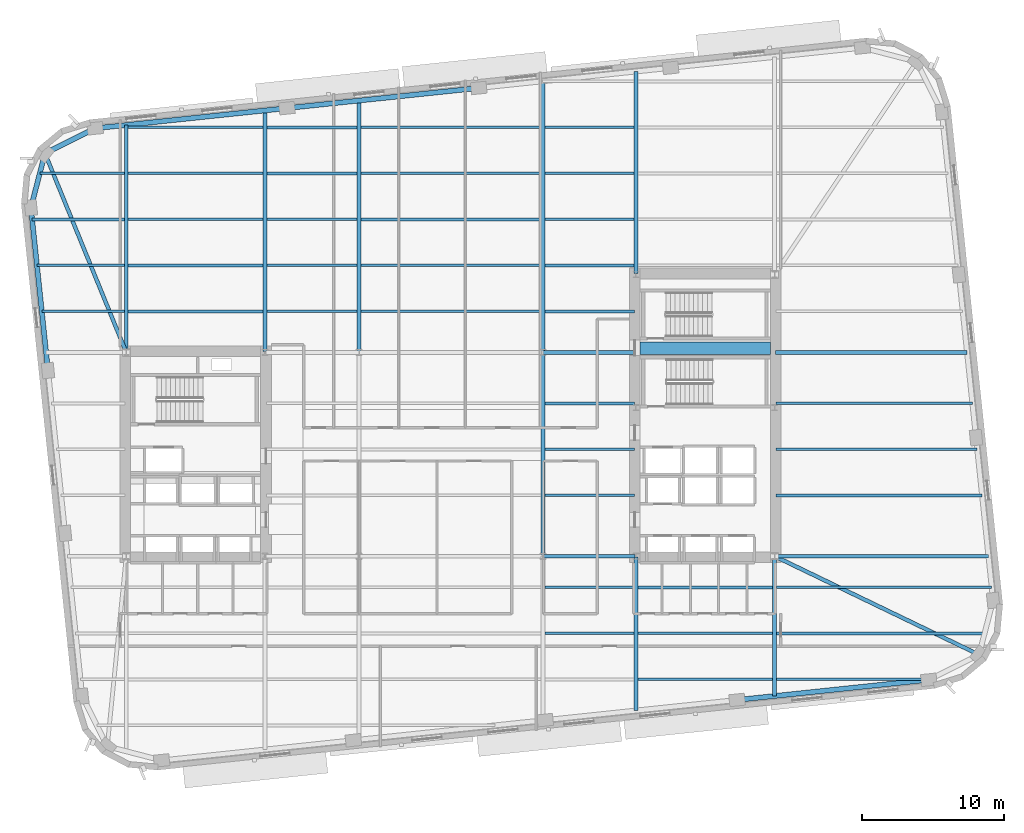
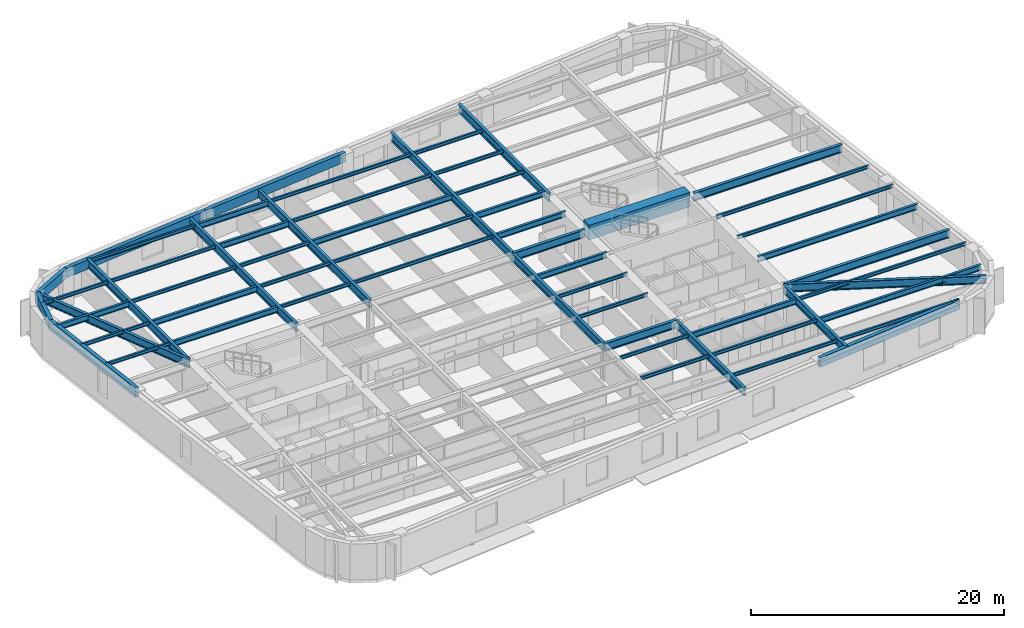
# One storey, part 2 of 15: 59 beams.
"""IFC4 building model written with IfcOpenShell, lengths in metres."""

from ifc_helpers import new_model, si_unit, direction, frame, origin, origin_2d, place, context, subcontext, project, spatial, rectangle, hollow_rectangle, i_section, extrude, material, material_profile, profile_set, type_object, element, save


model = new_model("IFC4")

# Units and contexts
model_context = context("Model", 3, precision=1e-05, world=origin(), true_north=direction((0.0, 1.0)))
body_context = subcontext(model_context, "Body", "Model", "MODEL_VIEW")
ifc_project = project(units=[si_unit("LENGTHUNIT", "METRE"), si_unit("AREAUNIT", "SQUARE_METRE"), si_unit("VOLUMEUNIT", "CUBIC_METRE"), si_unit("PLANEANGLEUNIT", "RADIAN"), si_unit("MASSUNIT", "GRAM", prefix="KILO")], contexts=[model_context])

# Site, building, storey
site_placement = place(None, origin())
site = spatial("IfcSite", under=ifc_project, at=site_placement, CompositionType="ELEMENT")
building_placement = place(site_placement, origin())
building = spatial("IfcBuilding", under=site, at=building_placement, Name="Kolvaren Arena Tower", CompositionType="ELEMENT")
storey_placement = place(building_placement, frame((0.0, 0.0, 118.449951171875)))
storey = spatial("IfcBuildingStorey", under=building, at=storey_placement, Name="L27", CompositionType="ELEMENT", Elevation=118.449951171875)

# Beams
ifc_material_1 = material(Name="Steel CSA G40.21 350W", Category="steel")
ifc_material_profile_1 = material_profile(ifc_material_1, i_section(OverallWidth=0.2119140625, OverallDepth=0.54296875, WebThickness=0.01318359375, FlangeThickness=0.0244140625, FilletRadius=0.013916015625, at=origin_2d()), Name="W530x150")
ifc_profile_set_1 = profile_set([ifc_material_profile_1], Name="Steel CSA G40.21 350W")
beam_type_1 = type_object("IfcBeamType", Name="BEAM-F1", PredefinedType="BEAM", material=ifc_profile_set_1)
beam_1_placement = place(storey_placement, frame((60.485107421875, 14.0, 3.20849609375), z_axis=(1.0, 0.0, 0.0), x_axis=(0.0, 1.0, 0.0)))
element("IfcBeam", 1, at=beam_1_placement, inside=storey, type_object=beam_type_1, Name="Composite Floor Beam (L27)", PredefinedType="BEAM", context=body_context, shape_type="SweptSolid", body=[
    extrude(i_section(OverallWidth=0.2119140625, OverallDepth=0.54296875, WebThickness=0.01318359375, FlangeThickness=0.0244140625, FilletRadius=0.013916015625, at=origin_2d()), origin(), (0.0, 0.0, 1.0), 14.69677734375),
])
beam_2_placement = place(storey_placement, frame((50.68505859375, 17.25, 3.20849609375), z_axis=(1.0, 0.0, 0.0), x_axis=(0.0, 1.0, 0.0)))
element("IfcBeam", 2, at=beam_2_placement, inside=storey, type_object=beam_type_1, Name="Composite Floor Beam (L27)", PredefinedType="BEAM", context=body_context, shape_type="SweptSolid", body=[
    extrude(i_section(OverallWidth=0.2119140625, OverallDepth=0.54296875, WebThickness=0.01318359375, FlangeThickness=0.0244140625, FilletRadius=0.013916015625, at=origin_2d()), origin(), (0.0, 0.0, 1.0), 9.530029296875),
])
beam_3_placement = place(storey_placement, frame((60.445068359375, 23.75, 3.20849609375), z_axis=(1.0, 0.0, 0.0), x_axis=(0.0, 1.0, 0.0)))
element("IfcBeam", 3, at=beam_3_placement, inside=storey, type_object=beam_type_1, Name="Composite Floor Beam (L27)", PredefinedType="BEAM", context=body_context, shape_type="SweptSolid", body=[
    extrude(i_section(OverallWidth=0.2119140625, OverallDepth=0.54296875, WebThickness=0.01318359375, FlangeThickness=0.0244140625, FilletRadius=0.013916015625, at=origin_2d()), origin(), (0.0, 0.0, 1.0), 14.56103515625),
])
beam_4_placement = place(storey_placement, frame((44.135009765625, 30.25, 3.20849609375), z_axis=(1.0, 0.0, 0.0), x_axis=(0.0, 1.0, 0.0)))
element("IfcBeam", 4, at=beam_4_placement, inside=storey, type_object=beam_type_1, Name="Composite Floor Beam (L27)", PredefinedType="BEAM", context=body_context, shape_type="SweptSolid", body=[
    extrude(i_section(OverallWidth=0.2119140625, OverallDepth=0.54296875, WebThickness=0.01318359375, FlangeThickness=0.0244140625, FilletRadius=0.013916015625, at=origin_2d()), origin(), (0.0, 0.0, 1.0), 6.320068359375),
])
beam_5_placement = place(storey_placement, frame((14.68505859375, 36.75, 3.20849609375), z_axis=(1.0, 0.0, 0.0), x_axis=(0.0, 1.0, 0.0)))
element("IfcBeam", 5, at=beam_5_placement, inside=storey, type_object=beam_type_1, Name="Composite Floor Beam (L27)", PredefinedType="BEAM", context=body_context, shape_type="SweptSolid", body=[
    extrude(i_section(OverallWidth=0.2119140625, OverallDepth=0.54296875, WebThickness=0.01318359375, FlangeThickness=0.0244140625, FilletRadius=0.013916015625, at=origin_2d()), origin(), (0.0, 0.0, 1.0), 9.530029296875),
])
beam_6_placement = place(storey_placement, frame((44.135009765625, 36.75, 3.20849609375), z_axis=(1.0, 0.0, 0.0), x_axis=(0.0, 1.0, 0.0)))
element("IfcBeam", 6, at=beam_6_placement, inside=storey, type_object=beam_type_1, Name="Composite Floor Beam (L27)", PredefinedType="BEAM", context=body_context, shape_type="SweptSolid", body=[
    extrude(i_section(OverallWidth=0.2119140625, OverallDepth=0.54296875, WebThickness=0.01318359375, FlangeThickness=0.0244140625, FilletRadius=0.013916015625, at=origin_2d()), origin(), (0.0, 0.0, 1.0), 6.320068359375),
])
beam_7_placement = place(storey_placement, frame((14.68505859375, 40.0, 3.20849609375), z_axis=(1.0, 0.0, 0.0), x_axis=(0.0, 1.0, 0.0)))
element("IfcBeam", 7, at=beam_7_placement, inside=storey, type_object=beam_type_1, Name="Composite Floor Beam (L27)", PredefinedType="BEAM", context=body_context, shape_type="SweptSolid", body=[
    extrude(i_section(OverallWidth=0.2119140625, OverallDepth=0.54296875, WebThickness=0.01318359375, FlangeThickness=0.0244140625, FilletRadius=0.013916015625, at=origin_2d()), origin(), (0.0, 0.0, 1.0), 9.530029296875),
])
beam_8_placement = place(storey_placement, frame((44.135009765625, 40.0, 3.20849609375), z_axis=(1.0, 0.0, 0.0), x_axis=(0.0, 1.0, 0.0)))
element("IfcBeam", 8, at=beam_8_placement, inside=storey, type_object=beam_type_1, Name="Composite Floor Beam (L27)", PredefinedType="BEAM", context=body_context, shape_type="SweptSolid", body=[
    extrude(i_section(OverallWidth=0.2119140625, OverallDepth=0.54296875, WebThickness=0.01318359375, FlangeThickness=0.0244140625, FilletRadius=0.013916015625, at=origin_2d()), origin(), (0.0, 0.0, 1.0), 6.280029296875),
])
beam_9_placement = place(storey_placement, frame((7.900146484375, 43.25, 3.20849609375), z_axis=(1.0, 0.0, 0.0), x_axis=(0.0, 1.0, 0.0)))
element("IfcBeam", 9, at=beam_9_placement, inside=storey, type_object=beam_type_1, Name="Composite Floor Beam (L27)", PredefinedType="BEAM", context=body_context, shape_type="SweptSolid", body=[
    extrude(i_section(OverallWidth=0.2119140625, OverallDepth=0.54296875, WebThickness=0.01318359375, FlangeThickness=0.0244140625, FilletRadius=0.013916015625, at=origin_2d()), origin(), (0.0, 0.0, 1.0), 6.514892578125),
])
beam_10_placement = place(storey_placement, frame((31.135009765625, 43.25, 3.20849609375), z_axis=(1.0, 0.0, 0.0), x_axis=(0.0, 1.0, 0.0)))
element("IfcBeam", 10, at=beam_10_placement, inside=storey, type_object=beam_type_1, Name="Composite Floor Beam (L27)", PredefinedType="BEAM", context=body_context, shape_type="SweptSolid", body=[
    extrude(i_section(OverallWidth=0.2119140625, OverallDepth=0.54296875, WebThickness=0.01318359375, FlangeThickness=0.0244140625, FilletRadius=0.013916015625, at=origin_2d()), origin(), (0.0, 0.0, 1.0), 12.72998046875),
])
for number, where, z_axis, x_axis, name in (
    (11, (24.485107421875, 46.5, 3.20849609375), (1.0, 0.0, 0.0), (0.0, 1.0, 0.0), "Composite Floor Beam (L27)"),
    (12, (24.485107421875, 49.75, 3.20849609375), (1.0, 0.0, 0.0), (0.0, 1.0, 0.0), "Composite Floor Beam (L27)"),
):
    element("IfcBeam", number, at=place(storey_placement, frame(where, z_axis=z_axis, x_axis=x_axis)), inside=storey, type_object=beam_type_1, Name=name, PredefinedType="BEAM", context=body_context, shape_type="SweptSolid", body=[
        extrude(i_section(OverallWidth=0.2119140625, OverallDepth=0.54296875, WebThickness=0.01318359375, FlangeThickness=0.0244140625, FilletRadius=0.013916015625, at=origin_2d()), origin(), (0.0, 0.0, 1.0), 6.3798828125),
    ])
ifc_material_2 = material(Name="Concrete 75 MPa", Category="concrete")
ifc_material_profile_2 = material_profile(ifc_material_2, rectangle(XDim=0.89990234375, YDim=1.39990234375, at=origin_2d()), Name="RC-900x1400")
ifc_profile_set_2 = profile_set([ifc_material_profile_2], Name="Concrete 75 MPa")
beam_type_2 = type_object("IfcBeamType", Name="CB-CORE-1", PredefinedType="BEAM", material=ifc_profile_set_2)
beam_11_placement = place(storey_placement, frame((50.85009765625, 34.14990234375, 3.050048828125), z_axis=(1.0, 0.0, 0.0), x_axis=(0.0, 1.0, 0.0)))
element("IfcBeam", 13, at=beam_11_placement, inside=storey, type_object=beam_type_2, Name="East Core Coupling Beam (L27)", PredefinedType="BEAM", context=body_context, shape_type="SweptSolid", body=[
    extrude(rectangle(XDim=0.89990234375, YDim=1.39990234375, at=origin_2d()), origin(), (0.0, 0.0, 1.0), 9.199951171875),
])
ifc_material_profile_3 = material_profile(ifc_material_1, i_section(OverallWidth=0.27001953125, OverallDepth=0.77294921875, WebThickness=0.019287109375, FlangeThickness=0.033447265625, FilletRadius=0.01806640625, at=origin_2d()), Name="W760x257")
ifc_profile_set_3 = profile_set([ifc_material_profile_3], Name="Steel CSA G40.21 350W")
beam_type_3 = type_object("IfcBeamType", Name="GIRD-T1", PredefinedType="BEAM", material=ifc_profile_set_3)
beam_12_placement = place(storey_placement, frame((74.790283203125, 12.49267578125, 3.093505859375), z_axis=(-0.900889626424, 0.43404824732, 0.0), x_axis=(-0.43404824732, -0.900889626424, 0.0)))
element("IfcBeam", 14, at=beam_12_placement, inside=storey, type_object=beam_type_3, Name="Corner Diagonal Tie Girder (L27)", PredefinedType="BEAM", context=body_context, shape_type="SweptSolid", body=[
    extrude(i_section(OverallWidth=0.27001953125, OverallDepth=0.77294921875, WebThickness=0.019287109375, FlangeThickness=0.033447265625, FilletRadius=0.01806640625, at=origin_2d()), origin(), (0.0, 0.0, 1.0), 16.02880859375),
])
beam_13_placement = place(storey_placement, frame((8.8095703125, 47.9072265625, 3.093505859375), z_axis=(0.378059288681, -0.925781385772, 0.0), x_axis=(0.925781385772, 0.378059288681, 0.0)))
element("IfcBeam", 15, at=beam_13_placement, inside=storey, type_object=beam_type_3, Name="Corner Diagonal Tie Girder (L27)", PredefinedType="BEAM", context=body_context, shape_type="SweptSolid", body=[
    extrude(i_section(OverallWidth=0.27001953125, OverallDepth=0.77294921875, WebThickness=0.019287109375, FlangeThickness=0.033447265625, FilletRadius=0.01806640625, at=origin_2d()), origin(), (0.0, 0.0, 1.0), 15.18408203125),
])
beam_14_placement = place(storey_placement, frame((44.0, 19.449951171875, 3.093505859375), z_axis=(1.0, 0.0, 0.0), x_axis=(0.0, 1.0, 0.0)))
element("IfcBeam", 16, at=beam_14_placement, inside=storey, type_object=beam_type_3, Name="Primary Floor Girder (L27)", PredefinedType="BEAM", context=body_context, shape_type="SweptSolid", body=[
    extrude(i_section(OverallWidth=0.27001953125, OverallDepth=0.77294921875, WebThickness=0.019287109375, FlangeThickness=0.033447265625, FilletRadius=0.01806640625, at=origin_2d()), origin(), (0.0, 0.0, 1.0), 6.4951171875),
])
beam_15_placement = place(storey_placement, frame((60.405029296875, 19.449951171875, 3.093505859375), z_axis=(1.0, 0.0, 0.0), x_axis=(0.0, 1.0, 0.0)))
element("IfcBeam", 17, at=beam_15_placement, inside=storey, type_object=beam_type_3, Name="Primary Floor Girder (L27)", PredefinedType="BEAM", context=body_context, shape_type="SweptSolid", body=[
    extrude(i_section(OverallWidth=0.27001953125, OverallDepth=0.77294921875, WebThickness=0.019287109375, FlangeThickness=0.033447265625, FilletRadius=0.01806640625, at=origin_2d()), origin(), (0.0, 0.0, 1.0), 15.052978515625),
])
beam_16_placement = place(storey_placement, frame((44.0, 33.85009765625, 3.093505859375), z_axis=(1.0, 0.0, 0.0), x_axis=(0.0, 1.0, 0.0)))
element("IfcBeam", 18, at=beam_16_placement, inside=storey, type_object=beam_type_3, Name="Primary Floor Girder (L27)", PredefinedType="BEAM", context=body_context, shape_type="SweptSolid", body=[
    extrude(i_section(OverallWidth=0.27001953125, OverallDepth=0.77294921875, WebThickness=0.019287109375, FlangeThickness=0.033447265625, FilletRadius=0.01806640625, at=origin_2d()), origin(), (0.0, 0.0, 1.0), 6.4951171875),
])
beam_17_placement = place(storey_placement, frame((60.405029296875, 33.85009765625, 3.093505859375), z_axis=(1.0, 0.0, 0.0), x_axis=(0.0, 1.0, 0.0)))
element("IfcBeam", 19, at=beam_17_placement, inside=storey, type_object=beam_type_3, Name="Primary Floor Girder (L27)", PredefinedType="BEAM", context=body_context, shape_type="SweptSolid", body=[
    extrude(i_section(OverallWidth=0.27001953125, OverallDepth=0.77294921875, WebThickness=0.019287109375, FlangeThickness=0.033447265625, FilletRadius=0.01806640625, at=origin_2d()), origin(), (0.0, 0.0, 1.0), 13.53955078125),
])
beam_18_placement = place(storey_placement, frame((14.550048828125, 33.905029296875, 3.093505859375), z_axis=(0.0, 1.0, 0.0), x_axis=(-1.0, 0.0, 0.0)))
element("IfcBeam", 20, at=beam_18_placement, inside=storey, type_object=beam_type_3, Name="Primary Floor Girder (L27)", PredefinedType="BEAM", context=body_context, shape_type="SweptSolid", body=[
    extrude(i_section(OverallWidth=0.27001953125, OverallDepth=0.77294921875, WebThickness=0.019287109375, FlangeThickness=0.033447265625, FilletRadius=0.01806640625, at=origin_2d()), origin(), (0.0, 0.0, 1.0), 16.004638671875),
])
beam_19_placement = place(storey_placement, frame((24.35009765625, 33.905029296875, 3.093505859375), z_axis=(0.0, 1.0, 0.0), x_axis=(-1.0, 0.0, 0.0)))
element("IfcBeam", 21, at=beam_19_placement, inside=storey, type_object=beam_type_3, Name="Primary Floor Girder (L27)", PredefinedType="BEAM", context=body_context, shape_type="SweptSolid", body=[
    extrude(i_section(OverallWidth=0.27001953125, OverallDepth=0.77294921875, WebThickness=0.019287109375, FlangeThickness=0.033447265625, FilletRadius=0.01806640625, at=origin_2d()), origin(), (0.0, 0.0, 1.0), 17.03466796875),
])
beam_20_placement = place(storey_placement, frame((31.0, 33.85009765625, 3.093505859375), z_axis=(0.0, 1.0, 0.0), x_axis=(-1.0, 0.0, 0.0)))
element("IfcBeam", 22, at=beam_20_placement, inside=storey, type_object=beam_type_3, Name="Primary Floor Girder (L27)", PredefinedType="BEAM", context=body_context, shape_type="SweptSolid", body=[
    extrude(i_section(OverallWidth=0.27001953125, OverallDepth=0.77294921875, WebThickness=0.019287109375, FlangeThickness=0.033447265625, FilletRadius=0.01806640625, at=origin_2d()), origin(), (0.0, 0.0, 1.0), 17.788330078125),
])
beam_21_placement = place(storey_placement, frame((44.0, 19.449951171875, 3.093505859375), z_axis=(0.0, 1.0, 0.0), x_axis=(-1.0, 0.0, 0.0)))
element("IfcBeam", 23, at=beam_21_placement, inside=storey, type_object=beam_type_3, Name="Primary Floor Girder (L27)", PredefinedType="BEAM", context=body_context, shape_type="SweptSolid", body=[
    extrude(i_section(OverallWidth=0.27001953125, OverallDepth=0.77294921875, WebThickness=0.019287109375, FlangeThickness=0.033447265625, FilletRadius=0.01806640625, at=origin_2d()), origin(), (0.0, 0.0, 1.0), 14.400146484375),
])
beam_22_placement = place(storey_placement, frame((44.0, 33.85009765625, 3.093505859375), z_axis=(0.0, 1.0, 0.0), x_axis=(-1.0, 0.0, 0.0)))
element("IfcBeam", 24, at=beam_22_placement, inside=storey, type_object=beam_type_3, Name="Primary Floor Girder (L27)", PredefinedType="BEAM", context=body_context, shape_type="SweptSolid", body=[
    extrude(i_section(OverallWidth=0.27001953125, OverallDepth=0.77294921875, WebThickness=0.019287109375, FlangeThickness=0.033447265625, FilletRadius=0.01806640625, at=origin_2d()), origin(), (0.0, 0.0, 1.0), 19.15478515625),
])
beam_23_placement = place(storey_placement, frame((50.550048828125, 8.5458984375, 3.093505859375), z_axis=(0.0, 1.0, 0.0), x_axis=(-1.0, 0.0, 0.0)))
element("IfcBeam", 25, at=beam_23_placement, inside=storey, type_object=beam_type_3, Name="Primary Floor Girder (L27)", PredefinedType="BEAM", context=body_context, shape_type="SweptSolid", body=[
    extrude(i_section(OverallWidth=0.27001953125, OverallDepth=0.77294921875, WebThickness=0.019287109375, FlangeThickness=0.033447265625, FilletRadius=0.01806640625, at=origin_2d()), origin(), (0.0, 0.0, 1.0), 10.84912109375),
])
beam_24_placement = place(storey_placement, frame((50.550048828125, 39.405029296875, 3.093505859375), z_axis=(0.0, 1.0, 0.0), x_axis=(-1.0, 0.0, 0.0)))
element("IfcBeam", 26, at=beam_24_placement, inside=storey, type_object=beam_type_3, Name="Primary Floor Girder (L27)", PredefinedType="BEAM", context=body_context, shape_type="SweptSolid", body=[
    extrude(i_section(OverallWidth=0.27001953125, OverallDepth=0.77294921875, WebThickness=0.019287109375, FlangeThickness=0.033447265625, FilletRadius=0.01806640625, at=origin_2d()), origin(), (0.0, 0.0, 1.0), 14.288330078125),
])
beam_25_placement = place(storey_placement, frame((60.35009765625, 9.575927734375, 3.093505859375), z_axis=(0.0, 1.0, 0.0), x_axis=(-1.0, 0.0, 0.0)))
element("IfcBeam", 27, at=beam_25_placement, inside=storey, type_object=beam_type_3, Name="Primary Floor Girder (L27)", PredefinedType="BEAM", context=body_context, shape_type="SweptSolid", body=[
    extrude(i_section(OverallWidth=0.27001953125, OverallDepth=0.77294921875, WebThickness=0.019287109375, FlangeThickness=0.033447265625, FilletRadius=0.01806640625, at=origin_2d()), origin(), (0.0, 0.0, 1.0), 9.819091796875),
])
ifc_material_profile_4 = material_profile(ifc_material_1, i_section(OverallWidth=0.1669921875, OverallDepth=0.31689453125, WebThickness=0.007568359375, FlangeThickness=0.01318359375, FilletRadius=0.010009765625, at=origin_2d()), Name="W310x52")
ifc_profile_set_4 = profile_set([ifc_material_profile_4], Name="Steel CSA G40.21 350W")
beam_type_4 = type_object("IfcBeamType", Name="JOIST-02", PredefinedType="JOIST", material=ifc_profile_set_4)
beam_26_placement = place(storey_placement, frame((50.68505859375, 10.75, 3.321533203125), z_axis=(1.0, 0.0, 0.0), x_axis=(0.0, 1.0, 0.0)))
element("IfcBeam", 28, at=beam_26_placement, inside=storey, type_object=beam_type_4, Name="Composite Floor Joist (L27)", PredefinedType="JOIST", context=body_context, shape_type="SweptSolid", body=[
    extrude(i_section(OverallWidth=0.1669921875, OverallDepth=0.31689453125, WebThickness=0.007568359375, FlangeThickness=0.01318359375, FilletRadius=0.010009765625, at=origin_2d()), origin(), (0.0, 0.0, 1.0), 9.530029296875),
])
beam_27_placement = place(storey_placement, frame((60.485107421875, 10.75, 3.321533203125), z_axis=(1.0, 0.0, 0.0), x_axis=(0.0, 1.0, 0.0)))
element("IfcBeam", 29, at=beam_27_placement, inside=storey, type_object=beam_type_4, Name="Composite Floor Joist (L27)", PredefinedType="JOIST", context=body_context, shape_type="SweptSolid", body=[
    extrude(i_section(OverallWidth=0.1669921875, OverallDepth=0.31689453125, WebThickness=0.007568359375, FlangeThickness=0.01318359375, FilletRadius=0.010009765625, at=origin_2d()), origin(), (0.0, 0.0, 1.0), 10.819580078125),
])
beam_28_placement = place(storey_placement, frame((44.135009765625, 14.0, 3.321533203125), z_axis=(1.0, 0.0, 0.0), x_axis=(0.0, 1.0, 0.0)))
element("IfcBeam", 30, at=beam_28_placement, inside=storey, type_object=beam_type_4, Name="Composite Floor Joist (L27)", PredefinedType="JOIST", context=body_context, shape_type="SweptSolid", body=[
    extrude(i_section(OverallWidth=0.1669921875, OverallDepth=0.31689453125, WebThickness=0.007568359375, FlangeThickness=0.01318359375, FilletRadius=0.010009765625, at=origin_2d()), origin(), (0.0, 0.0, 1.0), 6.280029296875),
])
beam_29_placement = place(storey_placement, frame((50.68505859375, 14.0, 3.321533203125), z_axis=(1.0, 0.0, 0.0), x_axis=(0.0, 1.0, 0.0)))
element("IfcBeam", 31, at=beam_29_placement, inside=storey, type_object=beam_type_4, Name="Composite Floor Joist (L27)", PredefinedType="JOIST", context=body_context, shape_type="SweptSolid", body=[
    extrude(i_section(OverallWidth=0.1669921875, OverallDepth=0.31689453125, WebThickness=0.007568359375, FlangeThickness=0.01318359375, FilletRadius=0.010009765625, at=origin_2d()), origin(), (0.0, 0.0, 1.0), 9.530029296875),
])
beam_30_placement = place(storey_placement, frame((44.135009765625, 17.25, 3.321533203125), z_axis=(1.0, 0.0, 0.0), x_axis=(0.0, 1.0, 0.0)))
element("IfcBeam", 32, at=beam_30_placement, inside=storey, type_object=beam_type_4, Name="Composite Floor Joist (L27)", PredefinedType="JOIST", context=body_context, shape_type="SweptSolid", body=[
    extrude(i_section(OverallWidth=0.1669921875, OverallDepth=0.31689453125, WebThickness=0.007568359375, FlangeThickness=0.01318359375, FilletRadius=0.010009765625, at=origin_2d()), origin(), (0.0, 0.0, 1.0), 6.280029296875),
])
beam_31_placement = place(storey_placement, frame((60.485107421875, 17.25, 3.321533203125), z_axis=(1.0, 0.0, 0.0), x_axis=(0.0, 1.0, 0.0)))
element("IfcBeam", 33, at=beam_31_placement, inside=storey, type_object=beam_type_4, Name="Composite Floor Joist (L27)", PredefinedType="JOIST", context=body_context, shape_type="SweptSolid", body=[
    extrude(i_section(OverallWidth=0.1669921875, OverallDepth=0.31689453125, WebThickness=0.007568359375, FlangeThickness=0.01318359375, FilletRadius=0.010009765625, at=origin_2d()), origin(), (0.0, 0.0, 1.0), 15.2041015625),
])
for number, where, z_axis, x_axis, name in (
    (34, (44.135009765625, 23.75, 3.321533203125), (1.0, 0.0, 0.0), (0.0, 1.0, 0.0), "Composite Floor Joist (L27)"),
    (35, (44.135009765625, 27.0, 3.321533203125), (1.0, 0.0, 0.0), (0.0, 1.0, 0.0), "Composite Floor Joist (L27)"),
):
    element("IfcBeam", number, at=place(storey_placement, frame(where, z_axis=z_axis, x_axis=x_axis)), inside=storey, type_object=beam_type_4, Name=name, PredefinedType="JOIST", context=body_context, shape_type="SweptSolid", body=[
        extrude(i_section(OverallWidth=0.1669921875, OverallDepth=0.31689453125, WebThickness=0.007568359375, FlangeThickness=0.01318359375, FilletRadius=0.010009765625, at=origin_2d()), origin(), (0.0, 0.0, 1.0), 6.320068359375),
    ])
beam_32_placement = place(storey_placement, frame((60.445068359375, 27.0, 3.321533203125), z_axis=(1.0, 0.0, 0.0), x_axis=(0.0, 1.0, 0.0)))
element("IfcBeam", 36, at=beam_32_placement, inside=storey, type_object=beam_type_4, Name="Composite Floor Joist (L27)", PredefinedType="JOIST", context=body_context, shape_type="SweptSolid", body=[
    extrude(i_section(OverallWidth=0.1669921875, OverallDepth=0.31689453125, WebThickness=0.007568359375, FlangeThickness=0.01318359375, FilletRadius=0.010009765625, at=origin_2d()), origin(), (0.0, 0.0, 1.0), 14.219482421875),
])
beam_33_placement = place(storey_placement, frame((60.445068359375, 30.25, 3.321533203125), z_axis=(1.0, 0.0, 0.0), x_axis=(0.0, 1.0, 0.0)))
element("IfcBeam", 37, at=beam_33_placement, inside=storey, type_object=beam_type_4, Name="Composite Floor Joist (L27)", PredefinedType="JOIST", context=body_context, shape_type="SweptSolid", body=[
    extrude(i_section(OverallWidth=0.1669921875, OverallDepth=0.31689453125, WebThickness=0.007568359375, FlangeThickness=0.01318359375, FilletRadius=0.010009765625, at=origin_2d()), origin(), (0.0, 0.0, 1.0), 13.8779296875),
])
beam_34_placement = place(storey_placement, frame((8.58349609375, 36.75, 3.321533203125), z_axis=(1.0, 0.0, 0.0), x_axis=(0.0, 1.0, 0.0)))
element("IfcBeam", 38, at=beam_34_placement, inside=storey, type_object=beam_type_4, Name="Composite Floor Joist (L27)", PredefinedType="JOIST", context=body_context, shape_type="SweptSolid", body=[
    extrude(i_section(OverallWidth=0.1669921875, OverallDepth=0.31689453125, WebThickness=0.007568359375, FlangeThickness=0.01318359375, FilletRadius=0.010009765625, at=origin_2d()), origin(), (0.0, 0.0, 1.0), 5.83154296875),
])
beam_35_placement = place(storey_placement, frame((24.485107421875, 36.75, 3.321533203125), z_axis=(1.0, 0.0, 0.0), x_axis=(0.0, 1.0, 0.0)))
element("IfcBeam", 39, at=beam_35_placement, inside=storey, type_object=beam_type_4, Name="Composite Floor Joist (L27)", PredefinedType="JOIST", context=body_context, shape_type="SweptSolid", body=[
    extrude(i_section(OverallWidth=0.1669921875, OverallDepth=0.31689453125, WebThickness=0.007568359375, FlangeThickness=0.01318359375, FilletRadius=0.010009765625, at=origin_2d()), origin(), (0.0, 0.0, 1.0), 6.3798828125),
])
beam_36_placement = place(storey_placement, frame((31.135009765625, 36.75, 3.321533203125), z_axis=(1.0, 0.0, 0.0), x_axis=(0.0, 1.0, 0.0)))
element("IfcBeam", 40, at=beam_36_placement, inside=storey, type_object=beam_type_4, Name="Composite Floor Joist (L27)", PredefinedType="JOIST", context=body_context, shape_type="SweptSolid", body=[
    extrude(i_section(OverallWidth=0.1669921875, OverallDepth=0.31689453125, WebThickness=0.007568359375, FlangeThickness=0.01318359375, FilletRadius=0.010009765625, at=origin_2d()), origin(), (0.0, 0.0, 1.0), 12.72998046875),
])
beam_37_placement = place(storey_placement, frame((8.24169921875, 40.0, 3.321533203125), z_axis=(1.0, 0.0, 0.0), x_axis=(0.0, 1.0, 0.0)))
element("IfcBeam", 41, at=beam_37_placement, inside=storey, type_object=beam_type_4, Name="Composite Floor Joist (L27)", PredefinedType="JOIST", context=body_context, shape_type="SweptSolid", body=[
    extrude(i_section(OverallWidth=0.1669921875, OverallDepth=0.31689453125, WebThickness=0.007568359375, FlangeThickness=0.01318359375, FilletRadius=0.010009765625, at=origin_2d()), origin(), (0.0, 0.0, 1.0), 6.17333984375),
])
beam_38_placement = place(storey_placement, frame((24.485107421875, 40.0, 3.321533203125), z_axis=(1.0, 0.0, 0.0), x_axis=(0.0, 1.0, 0.0)))
element("IfcBeam", 42, at=beam_38_placement, inside=storey, type_object=beam_type_4, Name="Composite Floor Joist (L27)", PredefinedType="JOIST", context=body_context, shape_type="SweptSolid", body=[
    extrude(i_section(OverallWidth=0.1669921875, OverallDepth=0.31689453125, WebThickness=0.007568359375, FlangeThickness=0.01318359375, FilletRadius=0.010009765625, at=origin_2d()), origin(), (0.0, 0.0, 1.0), 6.3798828125),
])
beam_39_placement = place(storey_placement, frame((31.135009765625, 40.0, 3.321533203125), z_axis=(1.0, 0.0, 0.0), x_axis=(0.0, 1.0, 0.0)))
element("IfcBeam", 43, at=beam_39_placement, inside=storey, type_object=beam_type_4, Name="Composite Floor Joist (L27)", PredefinedType="JOIST", context=body_context, shape_type="SweptSolid", body=[
    extrude(i_section(OverallWidth=0.1669921875, OverallDepth=0.31689453125, WebThickness=0.007568359375, FlangeThickness=0.01318359375, FilletRadius=0.010009765625, at=origin_2d()), origin(), (0.0, 0.0, 1.0), 12.72998046875),
])
beam_40_placement = place(storey_placement, frame((14.68505859375, 43.25, 3.321533203125), z_axis=(1.0, 0.0, 0.0), x_axis=(0.0, 1.0, 0.0)))
element("IfcBeam", 44, at=beam_40_placement, inside=storey, type_object=beam_type_4, Name="Composite Floor Joist (L27)", PredefinedType="JOIST", context=body_context, shape_type="SweptSolid", body=[
    extrude(i_section(OverallWidth=0.1669921875, OverallDepth=0.31689453125, WebThickness=0.007568359375, FlangeThickness=0.01318359375, FilletRadius=0.010009765625, at=origin_2d()), origin(), (0.0, 0.0, 1.0), 9.530029296875),
])
beam_41_placement = place(storey_placement, frame((24.485107421875, 43.25, 3.321533203125), z_axis=(1.0, 0.0, 0.0), x_axis=(0.0, 1.0, 0.0)))
element("IfcBeam", 45, at=beam_41_placement, inside=storey, type_object=beam_type_4, Name="Composite Floor Joist (L27)", PredefinedType="JOIST", context=body_context, shape_type="SweptSolid", body=[
    extrude(i_section(OverallWidth=0.1669921875, OverallDepth=0.31689453125, WebThickness=0.007568359375, FlangeThickness=0.01318359375, FilletRadius=0.010009765625, at=origin_2d()), origin(), (0.0, 0.0, 1.0), 6.3798828125),
])
beam_42_placement = place(storey_placement, frame((44.135009765625, 43.25, 3.321533203125), z_axis=(1.0, 0.0, 0.0), x_axis=(0.0, 1.0, 0.0)))
element("IfcBeam", 46, at=beam_42_placement, inside=storey, type_object=beam_type_4, Name="Composite Floor Joist (L27)", PredefinedType="JOIST", context=body_context, shape_type="SweptSolid", body=[
    extrude(i_section(OverallWidth=0.1669921875, OverallDepth=0.31689453125, WebThickness=0.007568359375, FlangeThickness=0.01318359375, FilletRadius=0.010009765625, at=origin_2d()), origin(), (0.0, 0.0, 1.0), 6.280029296875),
])
beam_43_placement = place(storey_placement, frame((8.444091796875, 46.5, 3.321533203125), z_axis=(1.0, 0.0, 0.0), x_axis=(0.0, 1.0, 0.0)))
element("IfcBeam", 47, at=beam_43_placement, inside=storey, type_object=beam_type_4, Name="Composite Floor Joist (L27)", PredefinedType="JOIST", context=body_context, shape_type="SweptSolid", body=[
    extrude(i_section(OverallWidth=0.1669921875, OverallDepth=0.31689453125, WebThickness=0.007568359375, FlangeThickness=0.01318359375, FilletRadius=0.010009765625, at=origin_2d()), origin(), (0.0, 0.0, 1.0), 5.970947265625),
])
beam_44_placement = place(storey_placement, frame((14.68505859375, 46.5, 3.321533203125), z_axis=(1.0, 0.0, 0.0), x_axis=(0.0, 1.0, 0.0)))
element("IfcBeam", 48, at=beam_44_placement, inside=storey, type_object=beam_type_4, Name="Composite Floor Joist (L27)", PredefinedType="JOIST", context=body_context, shape_type="SweptSolid", body=[
    extrude(i_section(OverallWidth=0.1669921875, OverallDepth=0.31689453125, WebThickness=0.007568359375, FlangeThickness=0.01318359375, FilletRadius=0.010009765625, at=origin_2d()), origin(), (0.0, 0.0, 1.0), 9.530029296875),
])
beam_45_placement = place(storey_placement, frame((31.135009765625, 46.5, 3.321533203125), z_axis=(1.0, 0.0, 0.0), x_axis=(0.0, 1.0, 0.0)))
element("IfcBeam", 49, at=beam_45_placement, inside=storey, type_object=beam_type_4, Name="Composite Floor Joist (L27)", PredefinedType="JOIST", context=body_context, shape_type="SweptSolid", body=[
    extrude(i_section(OverallWidth=0.1669921875, OverallDepth=0.31689453125, WebThickness=0.007568359375, FlangeThickness=0.01318359375, FilletRadius=0.010009765625, at=origin_2d()), origin(), (0.0, 0.0, 1.0), 12.72998046875),
])
beam_46_placement = place(storey_placement, frame((44.135009765625, 46.5, 3.321533203125), z_axis=(1.0, 0.0, 0.0), x_axis=(0.0, 1.0, 0.0)))
element("IfcBeam", 50, at=beam_46_placement, inside=storey, type_object=beam_type_4, Name="Composite Floor Joist (L27)", PredefinedType="JOIST", context=body_context, shape_type="SweptSolid", body=[
    extrude(i_section(OverallWidth=0.1669921875, OverallDepth=0.31689453125, WebThickness=0.007568359375, FlangeThickness=0.01318359375, FilletRadius=0.010009765625, at=origin_2d()), origin(), (0.0, 0.0, 1.0), 6.280029296875),
])
beam_47_placement = place(storey_placement, frame((14.68505859375, 49.75, 3.321533203125), z_axis=(1.0, 0.0, 0.0), x_axis=(0.0, 1.0, 0.0)))
element("IfcBeam", 51, at=beam_47_placement, inside=storey, type_object=beam_type_4, Name="Composite Floor Joist (L27)", PredefinedType="JOIST", context=body_context, shape_type="SweptSolid", body=[
    extrude(i_section(OverallWidth=0.1669921875, OverallDepth=0.31689453125, WebThickness=0.007568359375, FlangeThickness=0.01318359375, FilletRadius=0.010009765625, at=origin_2d()), origin(), (0.0, 0.0, 1.0), 9.530029296875),
])
beam_48_placement = place(storey_placement, frame((31.135009765625, 49.75, 3.321533203125), z_axis=(1.0, 0.0, 0.0), x_axis=(0.0, 1.0, 0.0)))
element("IfcBeam", 52, at=beam_48_placement, inside=storey, type_object=beam_type_4, Name="Composite Floor Joist (L27)", PredefinedType="JOIST", context=body_context, shape_type="SweptSolid", body=[
    extrude(i_section(OverallWidth=0.1669921875, OverallDepth=0.31689453125, WebThickness=0.007568359375, FlangeThickness=0.01318359375, FilletRadius=0.010009765625, at=origin_2d()), origin(), (0.0, 0.0, 1.0), 12.72998046875),
])
beam_49_placement = place(storey_placement, frame((44.135009765625, 49.75, 3.321533203125), z_axis=(1.0, 0.0, 0.0), x_axis=(0.0, 1.0, 0.0)))
element("IfcBeam", 53, at=beam_49_placement, inside=storey, type_object=beam_type_4, Name="Composite Floor Joist (L27)", PredefinedType="JOIST", context=body_context, shape_type="SweptSolid", body=[
    extrude(i_section(OverallWidth=0.1669921875, OverallDepth=0.31689453125, WebThickness=0.007568359375, FlangeThickness=0.01318359375, FilletRadius=0.010009765625, at=origin_2d()), origin(), (0.0, 0.0, 1.0), 6.280029296875),
])
ifc_material_3 = material(Name="Steel CSA G40.21 350WT", Category="steel")
ifc_material_profile_5 = material_profile(ifc_material_3, hollow_rectangle(XDim=0.35009765625, YDim=0.89990234375, WallThickness=0.02001953125, at=origin_2d()), Name="HSS 900x350x20")
ifc_profile_set_5 = profile_set([ifc_material_profile_5], Name="Steel CSA G40.21 350WT")
beam_type_5 = type_object("IfcBeamType", Name="SPAND-01", PredefinedType="SPANDREL", material=ifc_profile_set_5)
for number, where, z_axis, x_axis, name in (
    (54, (57.697021484375, 9.297119140625, 3.030029296875), (0.994520955135, 0.104537408603, 0.0), (-0.104537408603, 0.994520955135, 0.0), "Perimeter Spandrel Beam (L27)"),
    (55, (39.453369140625, 52.527099609375, 3.030029296875), (-0.994520955135, -0.104537408603, 0.0), (0.104537408603, -0.994520955135, 0.0), "Perimeter Spandrel Beam (L27)"),
):
    element("IfcBeam", number, at=place(storey_placement, frame(where, z_axis=z_axis, x_axis=x_axis)), inside=storey, type_object=beam_type_5, Name=name, PredefinedType="SPANDREL", context=body_context, shape_type="SweptSolid", body=[
        extrude(hollow_rectangle(XDim=0.35009765625, YDim=0.89990234375, WallThickness=0.02001953125, at=origin_2d()), origin(), (0.0, 0.0, 1.0), 13.625),
    ])
beam_50_placement = place(storey_placement, frame((25.903076171875, 51.102783203125, 3.030029296875), z_axis=(-0.994523013632, -0.104517823154, 0.0), x_axis=(0.104517823154, -0.994523013632, 0.0)))
element("IfcBeam", 56, at=beam_50_placement, inside=storey, type_object=beam_type_5, Name="Perimeter Spandrel Beam (L27)", PredefinedType="SPANDREL", context=body_context, shape_type="SweptSolid", body=[
    extrude(hollow_rectangle(XDim=0.35009765625, YDim=0.89990234375, WallThickness=0.02001953125, at=origin_2d()), origin(), (0.0, 0.0, 1.0), 13.625244140625),
])
beam_51_placement = place(storey_placement, frame((12.3525390625, 49.6787109375, 3.030029296875), z_axis=(-0.894427191, -0.4472135955, 0.0), x_axis=(0.4472135955, -0.894427191, 0.0)))
element("IfcBeam", 57, at=beam_51_placement, inside=storey, type_object=beam_type_5, Name="Perimeter Spandrel Beam (L27)", PredefinedType="SPANDREL", context=body_context, shape_type="SweptSolid", body=[
    extrude(hollow_rectangle(XDim=0.35009765625, YDim=0.89990234375, WallThickness=0.02001953125, at=origin_2d()), origin(), (0.0, 0.0, 1.0), 3.961181640625),
])
beam_52_placement = place(storey_placement, frame((8.8095703125, 47.9072265625, 3.030029296875), z_axis=(-0.25141561169, -0.96787922294, 0.0), x_axis=(0.96787922294, -0.25141561169, 0.0)))
element("IfcBeam", 58, at=beam_52_placement, inside=storey, type_object=beam_type_5, Name="Perimeter Spandrel Beam (L27)", PredefinedType="SPANDREL", context=body_context, shape_type="SweptSolid", body=[
    extrude(hollow_rectangle(XDim=0.35009765625, YDim=0.89990234375, WallThickness=0.02001953125, at=origin_2d()), origin(), (0.0, 0.0, 1.0), 3.9609375),
])
beam_53_placement = place(storey_placement, frame((7.813720703125, 44.073486328125, 3.030029296875), z_axis=(0.104524366116, -0.994522325988, 0.0), x_axis=(0.994522325988, 0.104524366116, 0.0)))
element("IfcBeam", 59, at=beam_53_placement, inside=storey, type_object=beam_type_5, Name="Perimeter Spandrel Beam (L27)", PredefinedType="SPANDREL", context=body_context, shape_type="SweptSolid", body=[
    extrude(hollow_rectangle(XDim=0.35009765625, YDim=0.89990234375, WallThickness=0.02001953125, at=origin_2d()), origin(), (0.0, 0.0, 1.0), 11.566650390625),
])

save(model, "model.ifc")
